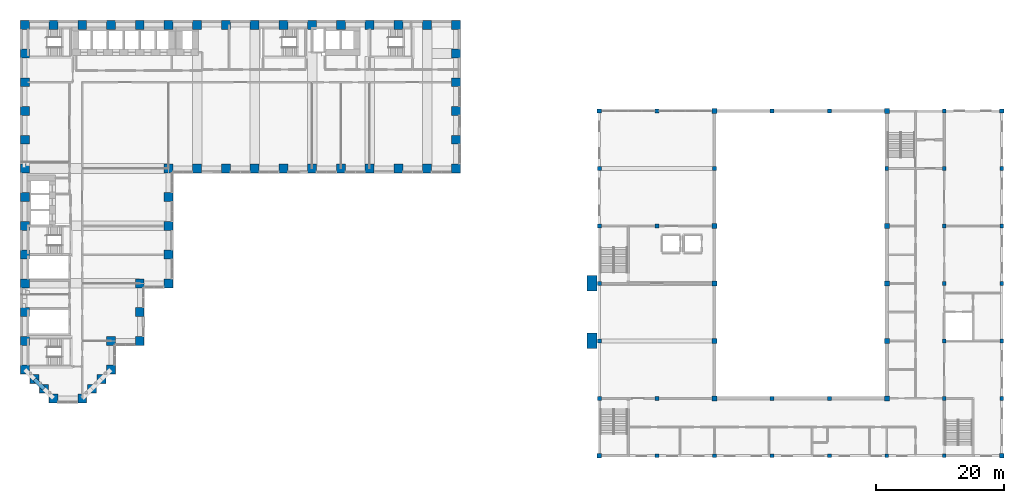
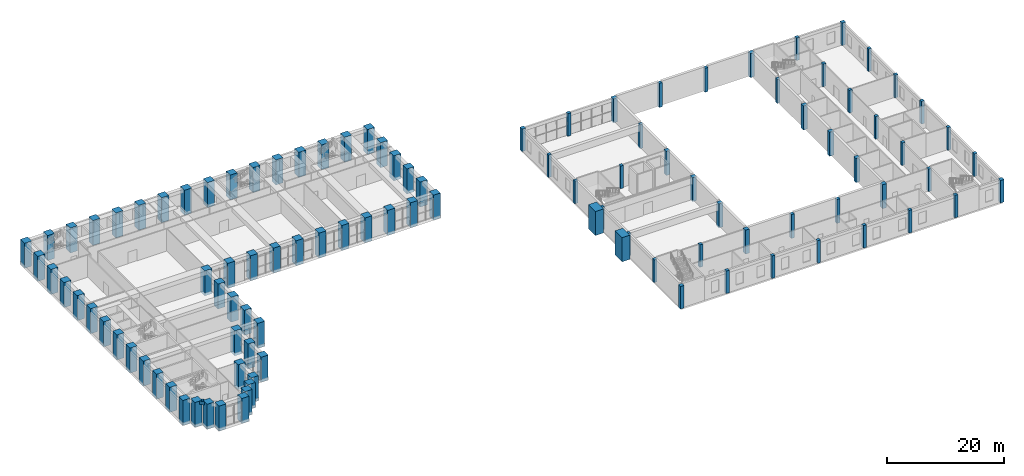
# One storey, part 1 of 30: 105 columns, 1 beam.
"""IFC4 building model written with IfcOpenShell, lengths in metres."""

import ifcopenshell
import ifcopenshell.guid

model = None  # the IFC model being written
_history = None  # IfcOwnerHistory: only IFC2X3 demands one
_inside = {}  # id of a spatial element -> (the spatial element, [elements in it])
_under = {}  # id of a project, library or spatial element -> (it, [spatial elements below it])
_declared = {}  # id of a project -> (the project, [libraries it declares])
_typed = {}  # id of a type object -> (the type object, [elements of that type])
_made_of = {}  # id of a material, layer set ... -> (it, [elements and type objects made of it])


def new_model(schema):
    """Start an empty IFC model of exactly this schema.

    Asked for "IFC4X3", IfcOpenShell would pick the latest addendum, in which some entities
    have other attributes; the version numbers below select the first issue.
    IFC2X3 requires an IfcOwnerHistory on every rooted entity: one is made here for all.
    """
    global model, _history
    if schema == "IFC4X3":
        model = ifcopenshell.file(schema_version=(4, 3, 0, 0))
    else:
        model = ifcopenshell.file(schema=schema)
    _inside.clear()
    _under.clear()
    _declared.clear()
    _typed.clear()
    _made_of.clear()
    _history = None
    if model.schema == "IFC2X3":
        org = make("IfcOrganization", Name="unknown")
        user = make(
            "IfcPersonAndOrganization",
            ThePerson=make("IfcPerson", FamilyName="unknown"),
            TheOrganization=org,
        )
        app = make(
            "IfcApplication",
            ApplicationDeveloper=org,
            Version="unknown",
            ApplicationFullName="unknown",
            ApplicationIdentifier="unknown",
        )
        _history = make(
            "IfcOwnerHistory",
            OwningUser=user,
            OwningApplication=app,
            ChangeAction="ADDED",
            CreationDate=0,
        )
    return model


def make(cls, **values):
    """One entity of the class cls with the attributes given. An attribute that is None is left unset."""
    return model.create_entity(
        cls, **{name: value for name, value in values.items() if value is not None}
    )


def rooted(cls, **values):
    """An entity with a GlobalId (a new one), such as an element, a storey or a relation."""
    return make(cls, GlobalId=ifcopenshell.guid.new(), OwnerHistory=_history, **values)


def si_unit(unit_type, name, prefix=None):
    """IfcSIUnit, for example si_unit("LENGTHUNIT", "METRE", prefix="MILLI")."""
    return make("IfcSIUnit", UnitType=unit_type, Prefix=prefix, Name=name)


def assignment(units):
    """IfcUnitAssignment: the units of a project."""
    return None if units is None else make("IfcUnitAssignment", Units=units)


def point(xyz):
    """IfcCartesianPoint."""
    return None if xyz is None else make("IfcCartesianPoint", Coordinates=xyz)


def direction(xyz):
    """IfcDirection."""
    return None if xyz is None else make("IfcDirection", DirectionRatios=xyz)


def frame(location, z_axis=None, x_axis=None):
    """IfcAxis2Placement3D, a coordinate frame: its origin and axes. An axis left out is left unset."""
    return make(
        "IfcAxis2Placement3D",
        Location=point(location),
        Axis=direction(z_axis),
        RefDirection=direction(x_axis),
    )


def frame_2d(location, x_axis=None):
    """IfcAxis2Placement2D, a coordinate frame in the plane: its origin and x axis."""
    return make(
        "IfcAxis2Placement2D", Location=point(location), RefDirection=direction(x_axis)
    )


def origin():
    """The frame at (0, 0, 0) with its axes left unset."""
    return frame((0.0, 0.0, 0.0))


def origin_2d():
    """The frame at (0, 0) in the plane with its x axis left unset."""
    return frame_2d((0.0, 0.0))


def place(relative_to, where):
    """IfcLocalPlacement: puts the frame where relative to a parent placement (None: the world)."""
    return make(
        "IfcLocalPlacement", PlacementRelTo=relative_to, RelativePlacement=where
    )


def context(
    kind, dimensions, precision=None, world=None, true_north=None, identifier=None
):
    """IfcGeometricRepresentationContext, for example the 3D "Model" context."""
    return make(
        "IfcGeometricRepresentationContext",
        ContextIdentifier=identifier,
        ContextType=kind,
        CoordinateSpaceDimension=dimensions,
        Precision=precision,
        WorldCoordinateSystem=world,
        TrueNorth=true_north,
    )


def subcontext(parent, identifier, kind, view, scale=None):
    """IfcGeometricRepresentationSubContext, for example "Body" below "Model"."""
    return make(
        "IfcGeometricRepresentationSubContext",
        ContextIdentifier=identifier,
        ContextType=kind,
        ParentContext=parent,
        TargetScale=scale,
        TargetView=view,
    )


def project(units=None, contexts=None):
    """IfcProject with its units and contexts."""
    return rooted(
        "IfcProject",
        Name="project",
        RepresentationContexts=contexts,
        UnitsInContext=assignment(units),
    )


def spatial(cls, under=None, at=None, **own):
    """A site, building, storey or space (cls), placed at a placement, below another one or the project."""
    s = rooted(cls, ObjectPlacement=at, **own)
    if under is not None:
        _under.setdefault(under.id(), (under, []))[1].append(s)
    return s


def profile(cls, at=None, kind="AREA", **sizes):
    """A parametric profile (cls). Its sizes go by their IFC names, for example OverallWidth=200.0."""
    return make(cls, ProfileType=kind, Position=at, **sizes)


def rectangle(**sizes):
    """IfcRectangleProfileDef."""
    return profile("IfcRectangleProfileDef", **sizes)


def extrude(swept, where, along, depth):
    """IfcExtrudedAreaSolid: the profile swept, set in the frame where, extruded along a direction by depth."""
    return make(
        "IfcExtrudedAreaSolid",
        SweptArea=swept,
        Position=where,
        ExtrudedDirection=direction(along),
        Depth=depth,
    )


def shape(context_of_items, identifier, shape_type, items):
    """IfcShapeRepresentation: the items that make up one representation, for example the "Body"."""
    return make(
        "IfcShapeRepresentation",
        ContextOfItems=context_of_items,
        RepresentationIdentifier=identifier,
        RepresentationType=shape_type,
        Items=items,
    )


def material(Name=None, Category=None):
    """IfcMaterial."""
    return make("IfcMaterial", Name=Name, Category=Category)


def material_profile(
    of_material, cross_section, Name=None, Category=None, Priority=None
):
    """IfcMaterialProfile: a cross section and its material."""
    return make(
        "IfcMaterialProfile",
        Name=Name,
        Material=of_material,
        Profile=cross_section,
        Priority=Priority,
        Category=Category,
    )


def profile_set(profiles, Name=None, composite=None):
    """IfcMaterialProfileSet."""
    return make(
        "IfcMaterialProfileSet",
        Name=Name,
        MaterialProfiles=profiles,
        CompositeProfile=composite,
    )


def made_of(thing, what):
    """Note that an element or type object is made of a material, layer set ...; save() writes the relation."""
    if what is not None:
        _made_of.setdefault(what.id(), (what, []))[1].append(thing)
    return thing


def type_object(cls, material=None, **own):
    """A type object (cls), such as IfcWallType, which elements share."""
    return made_of(rooted(cls, **own), material)


def element(
    cls,
    number,
    at=None,
    inside=None,
    cuts=None,
    type_object=None,
    material=None,
    context=None,
    identifier="Body",
    shape_type=None,
    held_by="IfcProductDefinitionShape",
    body=None,
    shapes=None,
    **own,
):
    """One element of the class cls, such as IfcWall. Its Tag is "e" and its number.

    at: its placement. inside: the storey or other place that contains it. cuts: it is an
    opening in that element (IfcRelVoidsElement). A single representation is given by context,
    identifier, shape_type and body (its items); several are given by shapes. held_by: the class
    of the entity that holds the representations. save() writes the other relations.
    """
    e = rooted(cls, Tag="e%d" % number, ObjectPlacement=at, **own)
    if body is not None:
        shapes = [shape(context, identifier, shape_type, body)]
    if shapes is not None:
        e.Representation = make(held_by, Representations=shapes)
    if inside is not None:
        _inside.setdefault(inside.id(), (inside, []))[1].append(e)
    if cuts is not None:
        rooted(
            "IfcRelVoidsElement", RelatingBuildingElement=cuts, RelatedOpeningElement=e
        )
    if type_object is not None:
        _typed.setdefault(type_object.id(), (type_object, []))[1].append(e)
    return made_of(e, material)


def aggregate(whole, parts):
    """IfcRelAggregates: a whole, such as a stair, and the parts it consists of."""
    return rooted("IfcRelAggregates", RelatingObject=whole, RelatedObjects=parts)


def save(model, path):
    """Write the relations noted so far, then the file.

    IfcRelAggregates (storeys below a building ...), IfcRelContainedInSpatialStructure (elements
    in a storey), IfcRelDefinesByType, IfcRelAssociatesMaterial and IfcRelDeclares: one each for
    every whole, place, type object, material and project.
    """
    for whole, parts in _under.values():
        aggregate(whole, parts)
    for where, things in _inside.values():
        rooted(
            "IfcRelContainedInSpatialStructure",
            RelatedElements=things,
            RelatingStructure=where,
        )
    for kind, things in _typed.values():
        rooted("IfcRelDefinesByType", RelatedObjects=things, RelatingType=kind)
    for what, things in _made_of.values():
        rooted("IfcRelAssociatesMaterial", RelatedObjects=things, RelatingMaterial=what)
    for by, libraries in _declared.values():
        rooted("IfcRelDeclares", RelatingContext=by, RelatedDefinitions=libraries)
    model.write(path)


model = new_model("IFC4")

# Units and contexts
model_context = context("Model", 3, precision=1e-05, world=origin(), true_north=direction((0.0, 1.0)))
body_context = subcontext(model_context, "Body", "Model", "MODEL_VIEW")
ifc_project = project(units=[si_unit("LENGTHUNIT", "METRE"), si_unit("AREAUNIT", "SQUARE_METRE"), si_unit("VOLUMEUNIT", "CUBIC_METRE"), si_unit("PLANEANGLEUNIT", "RADIAN"), si_unit("MASSUNIT", "GRAM", prefix="KILO")], contexts=[model_context])

# Site, building, storey
site_placement = place(None, origin())
site = spatial("IfcSite", under=ifc_project, at=site_placement, CompositionType="ELEMENT")
building_placement = place(site_placement, origin())
building = spatial("IfcBuilding", under=site, at=building_placement, Name="Firuza Court", CompositionType="ELEMENT")
storey_placement = place(building_placement, frame((0.0, 0.0, 9.0)))
storey = spatial("IfcBuildingStorey", under=building, at=storey_placement, Name="L01", CompositionType="ELEMENT", Elevation=9.0)

# Columns
ifc_material_1 = material(Name="Concrete C40/50", Category="concrete")
ifc_material_profile_1 = material_profile(ifc_material_1, rectangle(XDim=0.60009765625, YDim=0.60009765625, at=origin_2d()), Name="RC 600X600")
ifc_profile_set_1 = profile_set([ifc_material_profile_1], Name="Concrete C40/50")
column_type_1 = type_object("IfcColumnType", Name="RC COLUMN 600X600", PredefinedType="COLUMN", material=ifc_profile_set_1)
for number, where, z_axis, x_axis, name in (
    (1, (90.0, 0.0, 0.0), (0.0, 0.0, 1.0), (1.0, 0.0, 0.0), "Column 1-2 L01"),
    (2, (90.0, 9.0, 0.0), (0.0, 0.0, 1.0), (1.0, 0.0, 0.0), "Column 1-3 L01"),
    (3, (90.0, 18.0, 0.0), (0.0, 0.0, 1.0), (1.0, 0.0, 0.0), "Column 1-4 L01"),
    (4, (90.0, 27.0, 0.0), (0.0, 0.0, 1.0), (1.0, 0.0, 0.0), "Column 1-5 L01"),
    (5, (90.0, 36.0, 0.0), (0.0, 0.0, 1.0), (1.0, 0.0, 0.0), "Column 1-6 L01"),
    (6, (99.0, -9.0, 0.0), (0.0, 0.0, 1.0), (1.0, 0.0, 0.0), "Column 2-1 L01"),
    (7, (99.0, 0.0, 0.0), (0.0, 0.0, 1.0), (1.0, 0.0, 0.0), "Column 2-2 L01"),
    (8, (99.0, 27.0, 0.0), (0.0, 0.0, 1.0), (1.0, 0.0, 0.0), "Column 2-5 L01"),
    (9, (99.0, 45.0, 0.0), (0.0, 0.0, 1.0), (1.0, 0.0, 0.0), "Column 2-7 L01"),
    (10, (108.0, -9.0, 0.0), (0.0, 0.0, 1.0), (1.0, 0.0, 0.0), "Column 3-1 L01"),
):
    element("IfcColumn", number, at=place(storey_placement, frame(where, z_axis=z_axis, x_axis=x_axis)), inside=storey, type_object=column_type_1, Name=name, PredefinedType="COLUMN", context=body_context, shape_type="SweptSolid", body=[
        extrude(rectangle(XDim=0.60009765625, YDim=0.60009765625, at=origin_2d()), origin(), (0.0, 0.0, 1.0), 4.699951171875),
    ])
column_1_placement = place(storey_placement, frame((108.0, 36.0, -0.300048828125), z_axis=(0.0, 0.0, 1.0), x_axis=(1.0, 0.0, 0.0)))
element("IfcColumn", 11, at=column_1_placement, inside=storey, type_object=column_type_1, Name="Column 3-6 L01", PredefinedType="COLUMN", context=body_context, shape_type="SweptSolid", body=[
    extrude(rectangle(XDim=0.60009765625, YDim=0.60009765625, at=origin_2d()), origin(), (0.0, 0.0, 1.0), 5.0),
])
column_2_placement = place(storey_placement, frame((117.0, -9.0, 0.0), z_axis=(0.0, 0.0, 1.0), x_axis=(1.0, 0.0, 0.0)))
element("IfcColumn", 12, at=column_2_placement, inside=storey, type_object=column_type_1, Name="Column 4-1 L01", PredefinedType="COLUMN", context=body_context, shape_type="SweptSolid", body=[
    extrude(rectangle(XDim=0.60009765625, YDim=0.60009765625, at=origin_2d()), origin(), (0.0, 0.0, 1.0), 4.699951171875),
])
for number, where, z_axis, x_axis, name in (
    (13, (117.0, 0.0, -0.300048828125), (0.0, 0.0, 1.0), (1.0, 0.0, 0.0), "Column 4-2 L01"),
    (14, (117.0, 45.0, -0.300048828125), (0.0, 0.0, 1.0), (1.0, 0.0, 0.0), "Column 4-7 L01"),
):
    element("IfcColumn", number, at=place(storey_placement, frame(where, z_axis=z_axis, x_axis=x_axis)), inside=storey, type_object=column_type_1, Name=name, PredefinedType="COLUMN", context=body_context, shape_type="SweptSolid", body=[
        extrude(rectangle(XDim=0.60009765625, YDim=0.60009765625, at=origin_2d()), origin(), (0.0, 0.0, 1.0), 5.0),
    ])
column_3_placement = place(storey_placement, frame((126.0, -9.0, 0.0), z_axis=(0.0, 0.0, 1.0), x_axis=(1.0, 0.0, 0.0)))
element("IfcColumn", 15, at=column_3_placement, inside=storey, type_object=column_type_1, Name="Column 5-1 L01", PredefinedType="COLUMN", context=body_context, shape_type="SweptSolid", body=[
    extrude(rectangle(XDim=0.60009765625, YDim=0.60009765625, at=origin_2d()), origin(), (0.0, 0.0, 1.0), 4.699951171875),
])
for number, where, z_axis, x_axis, name in (
    (16, (126.0, 0.0, -0.300048828125), (0.0, 0.0, 1.0), (1.0, 0.0, 0.0), "Column 5-2 L01"),
    (17, (126.0, 45.0, -0.300048828125), (0.0, 0.0, 1.0), (1.0, 0.0, 0.0), "Column 5-7 L01"),
):
    element("IfcColumn", number, at=place(storey_placement, frame(where, z_axis=z_axis, x_axis=x_axis)), inside=storey, type_object=column_type_1, Name=name, PredefinedType="COLUMN", context=body_context, shape_type="SweptSolid", body=[
        extrude(rectangle(XDim=0.60009765625, YDim=0.60009765625, at=origin_2d()), origin(), (0.0, 0.0, 1.0), 5.0),
    ])
column_4_placement = place(storey_placement, frame((135.0, -9.0, 0.0), z_axis=(0.0, 0.0, 1.0), x_axis=(1.0, 0.0, 0.0)))
element("IfcColumn", 18, at=column_4_placement, inside=storey, type_object=column_type_1, Name="Column 6-1 L01", PredefinedType="COLUMN", context=body_context, shape_type="SweptSolid", body=[
    extrude(rectangle(XDim=0.60009765625, YDim=0.60009765625, at=origin_2d()), origin(), (0.0, 0.0, 1.0), 4.699951171875),
])
column_5_placement = place(storey_placement, frame((135.0, 36.0, -0.300048828125), z_axis=(0.0, 0.0, 1.0), x_axis=(1.0, 0.0, 0.0)))
element("IfcColumn", 19, at=column_5_placement, inside=storey, type_object=column_type_1, Name="Column 6-6 L01", PredefinedType="COLUMN", context=body_context, shape_type="SweptSolid", body=[
    extrude(rectangle(XDim=0.60009765625, YDim=0.60009765625, at=origin_2d()), origin(), (0.0, 0.0, 1.0), 5.0),
])
for number, where, z_axis, x_axis, name in (
    (20, (144.0, -9.0, 0.0), (0.0, 0.0, 1.0), (1.0, 0.0, 0.0), "Column 7-1 L01"),
    (21, (144.0, 0.0, 0.0), (0.0, 0.0, 1.0), (1.0, 0.0, 0.0), "Column 7-2 L01"),
    (22, (144.0, 9.0, 0.0), (0.0, 0.0, 1.0), (1.0, 0.0, 0.0), "Column 7-3 L01"),
    (23, (144.0, 18.0, 0.0), (0.0, 0.0, 1.0), (1.0, 0.0, 0.0), "Column 7-4 L01"),
    (24, (144.0, 27.0, 0.0), (0.0, 0.0, 1.0), (1.0, 0.0, 0.0), "Column 7-5 L01"),
    (25, (144.0, 36.0, 0.0), (0.0, 0.0, 1.0), (1.0, 0.0, 0.0), "Column 7-6 L01"),
    (26, (144.0, 45.0, 0.0), (0.0, 0.0, 1.0), (1.0, 0.0, 0.0), "Column 7-7 L01"),
    (27, (153.0, 0.0, 0.0), (0.0, 0.0, 1.0), (1.0, 0.0, 0.0), "Column 8-2 L01"),
    (28, (153.0, 9.0, 0.0), (0.0, 0.0, 1.0), (1.0, 0.0, 0.0), "Column 8-3 L01"),
    (29, (153.0, 18.0, 0.0), (0.0, 0.0, 1.0), (1.0, 0.0, 0.0), "Column 8-4 L01"),
    (30, (153.0, 27.0, 0.0), (0.0, 0.0, 1.0), (1.0, 0.0, 0.0), "Column 8-5 L01"),
    (31, (153.0, 36.0, 0.0), (0.0, 0.0, 1.0), (1.0, 0.0, 0.0), "Column 8-6 L01"),
):
    element("IfcColumn", number, at=place(storey_placement, frame(where, z_axis=z_axis, x_axis=x_axis)), inside=storey, type_object=column_type_1, Name=name, PredefinedType="COLUMN", context=body_context, shape_type="SweptSolid", body=[
        extrude(rectangle(XDim=0.60009765625, YDim=0.60009765625, at=origin_2d()), origin(), (0.0, 0.0, 1.0), 4.699951171875),
    ])
ifc_material_2 = material(Name="Concrete C40/50", Category="concrete")
ifc_material_profile_2 = material_profile(ifc_material_2, rectangle(XDim=0.699951171875, YDim=0.699951171875, at=origin_2d()), Name="RC 700X700")
ifc_profile_set_2 = profile_set([ifc_material_profile_2], Name="Concrete C40/50")
column_type_2 = type_object("IfcColumnType", Name="RC COLUMN 700X700", PredefinedType="COLUMN", material=ifc_profile_set_2)
for number, where, z_axis, x_axis, name in (
    (32, (90.0, -9.0, 0.0), (0.0, 0.0, 1.0), (1.0, 0.0, 0.0), "Column 1-1 L01"),
    (33, (90.0, 45.0, 0.0), (0.0, 0.0, 1.0), (1.0, 0.0, 0.0), "Column 1-7 L01"),
    (34, (153.0, -9.0, 0.0), (0.0, 0.0, 1.0), (1.0, 0.0, 0.0), "Column 8-1 L01"),
    (35, (153.0, 45.0, 0.0), (0.0, 0.0, 1.0), (1.0, 0.0, 0.0), "Column 8-7 L01"),
):
    element("IfcColumn", number, at=place(storey_placement, frame(where, z_axis=z_axis, x_axis=x_axis)), inside=storey, type_object=column_type_2, Name=name, PredefinedType="COLUMN", context=body_context, shape_type="SweptSolid", body=[
        extrude(rectangle(XDim=0.699951171875, YDim=0.699951171875, at=origin_2d()), origin(), (0.0, 0.0, 1.0), 4.699951171875),
    ])
ifc_material_3 = material(Name="Concrete C40/50", Category="concrete")
ifc_material_profile_3 = material_profile(ifc_material_3, rectangle(XDim=0.800048828125, YDim=0.800048828125, at=origin_2d()), Name="RC 800X800")
ifc_profile_set_3 = profile_set([ifc_material_profile_3], Name="Concrete C40/50")
column_type_3 = type_object("IfcColumnType", Name="RC COLUMN 800X800", PredefinedType="COLUMN", material=ifc_profile_set_3)
for number, where, z_axis, x_axis, name in (
    (36, (108.0, 0.0, -0.300048828125), (0.0, 0.0, 1.0), (1.0, 0.0, 0.0), "Column 3-2 L01"),
    (37, (108.0, 9.0, -0.300048828125), (0.0, 0.0, 1.0), (1.0, 0.0, 0.0), "Column 3-3 L01"),
    (38, (108.0, 18.0, -0.300048828125), (0.0, 0.0, 1.0), (1.0, 0.0, 0.0), "Column 3-4 L01"),
    (39, (108.0, 27.0, -0.300048828125), (0.0, 0.0, 1.0), (1.0, 0.0, 0.0), "Column 3-5 L01"),
    (40, (108.0, 45.0, -0.300048828125), (0.0, 0.0, 1.0), (1.0, 0.0, 0.0), "Column 3-7 L01"),
    (41, (135.0, 0.0, -0.300048828125), (0.0, 0.0, 1.0), (1.0, 0.0, 0.0), "Column 6-2 L01"),
    (42, (135.0, 9.0, -0.300048828125), (0.0, 0.0, 1.0), (1.0, 0.0, 0.0), "Column 6-3 L01"),
    (43, (135.0, 18.0, -0.300048828125), (0.0, 0.0, 1.0), (1.0, 0.0, 0.0), "Column 6-4 L01"),
    (44, (135.0, 27.0, -0.300048828125), (0.0, 0.0, 1.0), (1.0, 0.0, 0.0), "Column 6-5 L01"),
    (45, (135.0, 45.0, -0.300048828125), (0.0, 0.0, 1.0), (1.0, 0.0, 0.0), "Column 6-7 L01"),
):
    element("IfcColumn", number, at=place(storey_placement, frame(where, z_axis=z_axis, x_axis=x_axis)), inside=storey, type_object=column_type_3, Name=name, PredefinedType="COLUMN", context=body_context, shape_type="SweptSolid", body=[
        extrude(rectangle(XDim=0.800048828125, YDim=0.800048828125, at=origin_2d()), origin(), (0.0, 0.0, 1.0), 5.0),
    ])
ifc_material_4 = material(Name="Concrete C40/50", Category="concrete")
ifc_material_profile_4 = material_profile(ifc_material_4, rectangle(XDim=1.60009765625, YDim=2.39990234375, at=origin_2d()), Name="RC 1600X2400")
ifc_profile_set_4 = profile_set([ifc_material_profile_4], Name="Concrete C40/50")
column_type_4 = type_object("IfcColumnType", Name="RC PORTAL PIER 1600X2400", PredefinedType="COLUMN", material=ifc_profile_set_4)
for number, where, z_axis, x_axis, name in (
    (46, (88.85009765625, 9.0, 0.0), (0.0, 0.0, 1.0), (1.0, 0.0, 0.0), "Portal pier 1 L01"),
    (47, (88.85009765625, 18.0, 0.0), (0.0, 0.0, 1.0), (1.0, 0.0, 0.0), "Portal pier 2 L01"),
):
    element("IfcColumn", number, at=place(storey_placement, frame(where, z_axis=z_axis, x_axis=x_axis)), inside=storey, type_object=column_type_4, Name=name, PredefinedType="COLUMN", context=body_context, shape_type="SweptSolid", body=[
        extrude(rectangle(XDim=1.60009765625, YDim=2.39990234375, at=origin_2d()), origin(), (0.0, 0.0, 1.0), 5.0),
    ])
ifc_material_5 = material(Name="Concrete C80/95", Category="concrete")
ifc_material_profile_5 = material_profile(ifc_material_5, rectangle(XDim=1.39990234375, YDim=1.39990234375, at=origin_2d()), Name="RC 1400x1400")
ifc_profile_set_5 = profile_set([ifc_material_profile_5], Name="Concrete C80/95")
column_type_5 = type_object("IfcColumnType", Name="Tube column RC 1400x1400 C80/95", PredefinedType="COLUMN", material=ifc_profile_set_5)
for number, where, z_axis, x_axis, name in (
    (48, (4.5, 0.0, -0.60009765625), (0.0, 0.0, 1.0), (1.0, 0.0, 0.0), "Column C-2D L01"),
    (49, (9.0, 0.0, -0.60009765625), (0.0, 0.0, 1.0), (1.0, 0.0, 0.0), "Column C-3D L01"),
    (50, (3.0, 1.5, -0.60009765625), (0.0, 0.0, 1.0), (1.0, 0.0, 0.0), "Column C-SA1 L01"),
    (51, (10.5, 1.5, -0.60009765625), (0.0, 0.0, 1.0), (1.0, 0.0, 0.0), "Column C-SA2 L01"),
    (52, (1.5, 3.0, -0.60009765625), (0.0, 0.0, 1.0), (1.0, 0.0, 0.0), "Column C-SA3 L01"),
    (53, (12.0, 3.0, -0.60009765625), (0.0, 0.0, 1.0), (1.0, 0.0, 0.0), "Column C-SA4 L01"),
    (54, (0.0, 4.5, -0.60009765625), (0.0, 0.0, 1.0), (1.0, 0.0, 0.0), "Column C-1E L01"),
    (55, (13.5, 4.5, -0.60009765625), (0.0, 0.0, 1.0), (1.0, 0.0, 0.0), "Column C-4E L01"),
    (56, (0.0, 9.0, -0.60009765625), (0.0, 0.0, 1.0), (1.0, 0.0, 0.0), "Column C-1F L01"),
    (57, (13.5, 9.0, -0.60009765625), (0.0, 0.0, 1.0), (1.0, 0.0, 0.0), "Column C-4F L01"),
    (58, (18.0, 9.0, -0.60009765625), (0.0, 0.0, 1.0), (1.0, 0.0, 0.0), "Column C-5F L01"),
    (59, (0.0, 13.5, -0.60009765625), (0.0, 0.0, 1.0), (1.0, 0.0, 0.0), "Column C-1G L01"),
    (60, (18.0, 13.5, -0.60009765625), (0.0, 0.0, 1.0), (1.0, 0.0, 0.0), "Column C-5G L01"),
    (61, (0.0, 18.0, -0.60009765625), (0.0, 0.0, 1.0), (1.0, 0.0, 0.0), "Column C-1H L01"),
    (62, (18.0, 18.0, -0.60009765625), (0.0, 0.0, 1.0), (1.0, 0.0, 0.0), "Column C-5H L01"),
    (63, (22.5, 18.0, -0.60009765625), (0.0, 0.0, 1.0), (1.0, 0.0, 0.0), "Column C-6H L01"),
    (64, (0.0, 22.5, -0.60009765625), (0.0, 0.0, 1.0), (1.0, 0.0, 0.0), "Column C-1J L01"),
    (65, (22.5, 22.5, -0.60009765625), (0.0, 0.0, 1.0), (1.0, 0.0, 0.0), "Column C-6J L01"),
    (66, (0.0, 27.0, -0.60009765625), (0.0, 0.0, 1.0), (1.0, 0.0, 0.0), "Column C-1K L01"),
    (67, (22.5, 27.0, -0.60009765625), (0.0, 0.0, 1.0), (1.0, 0.0, 0.0), "Column C-6K L01"),
    (68, (0.0, 31.5, -0.60009765625), (0.0, 0.0, 1.0), (1.0, 0.0, 0.0), "Column C-1L L01"),
    (69, (22.5, 31.5, -0.60009765625), (0.0, 0.0, 1.0), (1.0, 0.0, 0.0), "Column C-6L L01"),
    (70, (0.0, 36.0, -0.60009765625), (0.0, 0.0, 1.0), (1.0, 0.0, 0.0), "Column C-1M L01"),
    (71, (22.5, 36.0, -0.60009765625), (0.0, 0.0, 1.0), (1.0, 0.0, 0.0), "Column C-6M L01"),
    (72, (27.0, 36.0, -0.60009765625), (0.0, 0.0, 1.0), (1.0, 0.0, 0.0), "Column C-7M L01"),
    (73, (31.5, 36.0, -0.60009765625), (0.0, 0.0, 1.0), (1.0, 0.0, 0.0), "Column C-8M L01"),
    (74, (36.0, 36.0, -0.60009765625), (0.0, 0.0, 1.0), (1.0, 0.0, 0.0), "Column C-9M L01"),
    (75, (40.5, 36.0, -0.60009765625), (0.0, 0.0, 1.0), (1.0, 0.0, 0.0), "Column C-10M L01"),
    (76, (45.0, 36.0, -0.60009765625), (0.0, 0.0, 1.0), (1.0, 0.0, 0.0), "Column C-11M L01"),
    (77, (49.5, 36.0, -0.60009765625), (0.0, 0.0, 1.0), (1.0, 0.0, 0.0), "Column C-12M L01"),
    (78, (54.0, 36.0, -0.60009765625), (0.0, 0.0, 1.0), (1.0, 0.0, 0.0), "Column C-13M L01"),
    (79, (58.5, 36.0, -0.60009765625), (0.0, 0.0, 1.0), (1.0, 0.0, 0.0), "Column C-14M L01"),
    (80, (63.0, 36.0, -0.60009765625), (0.0, 0.0, 1.0), (1.0, 0.0, 0.0), "Column C-15M L01"),
    (81, (67.5, 36.0, -0.60009765625), (0.0, 0.0, 1.0), (1.0, 0.0, 0.0), "Column C-16M L01"),
    (82, (0.0, 40.5, -0.60009765625), (0.0, 0.0, 1.0), (1.0, 0.0, 0.0), "Column C-1N L01"),
    (83, (67.5, 40.5, -0.60009765625), (0.0, 0.0, 1.0), (1.0, 0.0, 0.0), "Column C-16N L01"),
    (84, (0.0, 45.0, -0.60009765625), (0.0, 0.0, 1.0), (1.0, 0.0, 0.0), "Column C-1P L01"),
    (85, (67.5, 45.0, -0.60009765625), (0.0, 0.0, 1.0), (1.0, 0.0, 0.0), "Column C-16P L01"),
    (86, (0.0, 49.5, -0.60009765625), (0.0, 0.0, 1.0), (1.0, 0.0, 0.0), "Column C-1Q L01"),
    (87, (67.5, 49.5, -0.60009765625), (0.0, 0.0, 1.0), (1.0, 0.0, 0.0), "Column C-16Q L01"),
    (88, (0.0, 54.0, -0.60009765625), (0.0, 0.0, 1.0), (1.0, 0.0, 0.0), "Column C-1R L01"),
    (89, (67.5, 54.0, -0.60009765625), (0.0, 0.0, 1.0), (1.0, 0.0, 0.0), "Column C-16R L01"),
    (90, (0.0, 58.5, -0.60009765625), (0.0, 0.0, 1.0), (1.0, 0.0, 0.0), "Column C-1S L01"),
    (91, (4.5, 58.5, -0.60009765625), (0.0, 0.0, 1.0), (1.0, 0.0, 0.0), "Column C-2S L01"),
    (92, (9.0, 58.5, -0.60009765625), (0.0, 0.0, 1.0), (1.0, 0.0, 0.0), "Column C-3S L01"),
    (93, (13.5, 58.5, -0.60009765625), (0.0, 0.0, 1.0), (1.0, 0.0, 0.0), "Column C-4S L01"),
    (94, (18.0, 58.5, -0.60009765625), (0.0, 0.0, 1.0), (1.0, 0.0, 0.0), "Column C-5S L01"),
    (95, (22.5, 58.5, -0.60009765625), (0.0, 0.0, 1.0), (1.0, 0.0, 0.0), "Column C-6S L01"),
    (96, (27.0, 58.5, -0.60009765625), (0.0, 0.0, 1.0), (1.0, 0.0, 0.0), "Column C-7S L01"),
    (97, (31.5, 58.5, -0.60009765625), (0.0, 0.0, 1.0), (1.0, 0.0, 0.0), "Column C-8S L01"),
    (98, (36.0, 58.5, -0.60009765625), (0.0, 0.0, 1.0), (1.0, 0.0, 0.0), "Column C-9S L01"),
    (99, (40.5, 58.5, -0.60009765625), (0.0, 0.0, 1.0), (1.0, 0.0, 0.0), "Column C-10S L01"),
    (100, (45.0, 58.5, -0.60009765625), (0.0, 0.0, 1.0), (1.0, 0.0, 0.0), "Column C-11S L01"),
    (101, (49.5, 58.5, -0.60009765625), (0.0, 0.0, 1.0), (1.0, 0.0, 0.0), "Column C-12S L01"),
    (102, (54.0, 58.5, -0.60009765625), (0.0, 0.0, 1.0), (1.0, 0.0, 0.0), "Column C-13S L01"),
    (103, (58.5, 58.5, -0.60009765625), (0.0, 0.0, 1.0), (1.0, 0.0, 0.0), "Column C-14S L01"),
    (104, (63.0, 58.5, -0.60009765625), (0.0, 0.0, 1.0), (1.0, 0.0, 0.0), "Column C-15S L01"),
    (105, (67.5, 58.5, -0.60009765625), (0.0, 0.0, 1.0), (1.0, 0.0, 0.0), "Column C-16S L01"),
):
    element("IfcColumn", number, at=place(storey_placement, frame(where, z_axis=z_axis, x_axis=x_axis)), inside=storey, type_object=column_type_5, Name=name, PredefinedType="COLUMN", context=body_context, shape_type="SweptSolid", body=[
        extrude(rectangle(XDim=1.39990234375, YDim=1.39990234375, at=origin_2d()), origin(), (0.0, 0.0, 1.0), 5.2001953125),
    ])

# Beam
ifc_material_6 = material(Name="Concrete C40/50", Category="concrete")
ifc_material_profile_6 = material_profile(ifc_material_6, rectangle(XDim=0.699951171875, YDim=0.699951171875, at=origin_2d()), Name="RC 700x700")
ifc_profile_set_6 = profile_set([ifc_material_profile_6], Name="Concrete C40/50")
beam_type = type_object("IfcBeamType", Name="Spandrel beam RC 700x700 C40/50", PredefinedType="BEAM", material=ifc_profile_set_6)
beam_placement = place(storey_placement, frame((1.5, 3.0, 4.25), z_axis=(0.707106781187, -0.707106781187, 0.0), x_axis=(0.707106781187, 0.707106781187, 0.0)))
element("IfcBeam", 106, at=beam_placement, inside=storey, type_object=beam_type, Name="Spandrel beam SP8 level L02", PredefinedType="BEAM", context=body_context, shape_type="SweptSolid", body=[
    extrude(rectangle(XDim=0.699951171875, YDim=0.699951171875, at=origin_2d()), origin(), (0.0, 0.0, 1.0), 2.121337890625),
])

save(model, "model.ifc")
